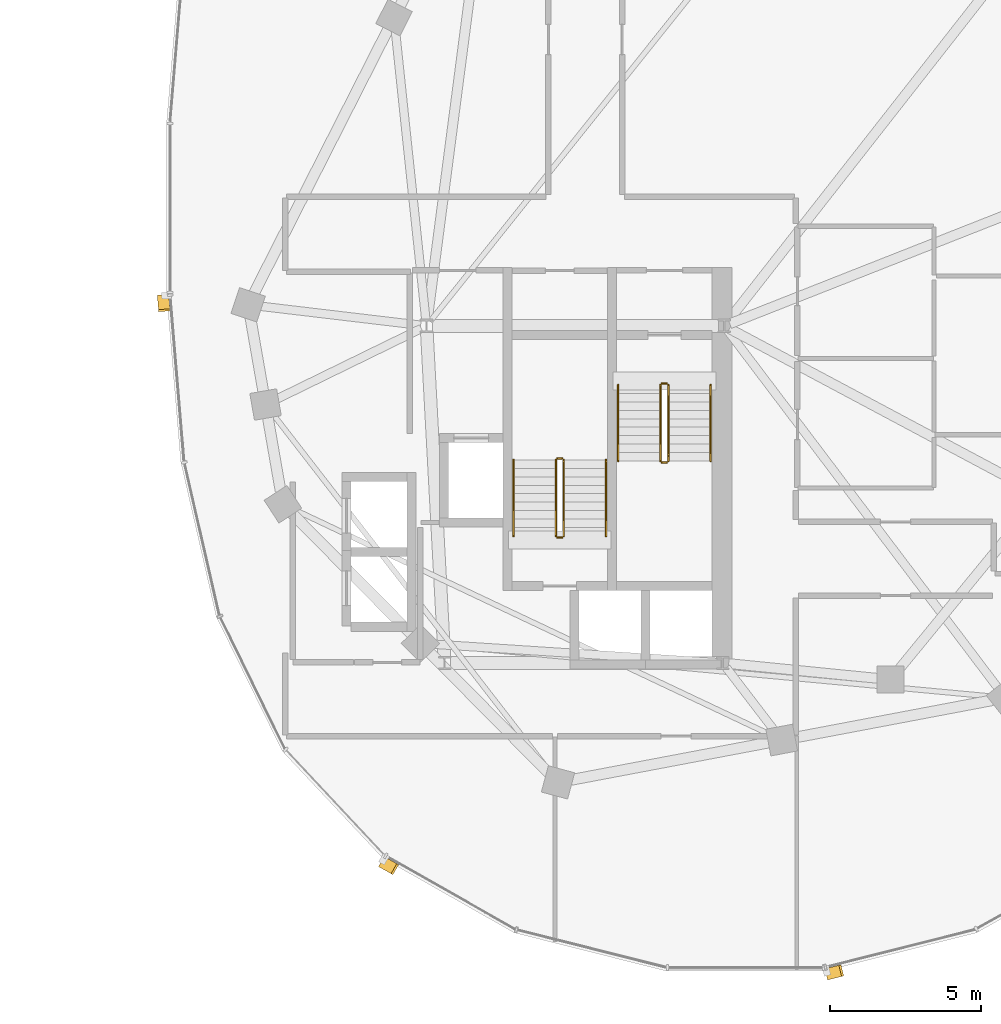
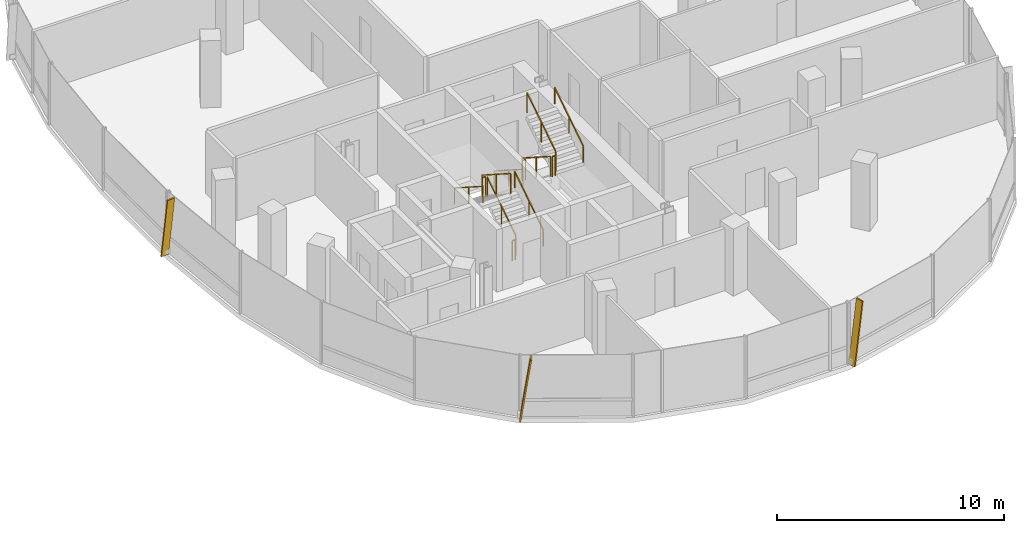
# One storey, part 24 of 25: 12 railings, 3 shading devices.
"""IFC4 building model written with IfcOpenShell, lengths in metres."""

from ifc_helpers import new_model, si_unit, direction, frame, origin, origin_2d, place, context, subcontext, project, spatial, rectangle, extrude, material, material_profile, profile_set, type_object, element, save


model = new_model("IFC4")

# Units and contexts
model_context = context("Model", 3, precision=1e-05, world=origin(), true_north=direction((0.0, 1.0)))
body_context = subcontext(model_context, "Body", "Model", "MODEL_VIEW")
ifc_project = project(units=[si_unit("LENGTHUNIT", "METRE"), si_unit("AREAUNIT", "SQUARE_METRE"), si_unit("VOLUMEUNIT", "CUBIC_METRE"), si_unit("PLANEANGLEUNIT", "RADIAN"), si_unit("MASSUNIT", "GRAM", prefix="KILO"), si_unit("THERMODYNAMICTEMPERATUREUNIT", "KELVIN"), si_unit("POWERUNIT", "WATT")], contexts=[model_context])

# Site, building, storey
site_placement = place(None, origin())
site = spatial("IfcSite", under=ifc_project, at=site_placement, CompositionType="ELEMENT")
building_placement = place(site_placement, origin())
building = spatial("IfcBuilding", under=site, at=building_placement, Name="Cundina Bronze Exchange", CompositionType="ELEMENT")
storey_placement = place(building_placement, frame((0.0, 0.0, 217.0)))
storey = spatial("IfcBuildingStorey", under=building, at=storey_placement, Name="L57", CompositionType="ELEMENT", Elevation=217.0)

# Railings
ifc_material_1 = material(Name="Steel ASTM A36 Painted", Category="steel")
railing_type_1 = type_object("IfcRailingType", Name="RLG-HND-900", PredefinedType="HANDRAIL", material=ifc_material_1)
railing_1_placement = place(storey_placement, frame((27.7900390625, -5.85009765625, 0.179931640625)))
element("IfcRailing", 1, at=railing_1_placement, inside=storey, type_object=railing_type_1, Name="L57 ST-E1 stair handrail 1", PredefinedType="HANDRAIL", context=body_context, shape_type="SweptSolid", body=[
    extrude(rectangle(XDim=0.048095703125, YDim=0.048095703125, at=origin_2d()), frame((0.0, 0.0, 0.8759765625), z_axis=(0.0, -0.841162588446, 0.540782303519), x_axis=(1.0, 0.0, 0.0)), (0.0, 0.0, 1.0), 2.995849609375),
    extrude(rectangle(XDim=0.0419921875, YDim=0.0419921875, at=origin_2d()), origin(), (0.0, 0.0, 1.0), 0.851806640625),
    extrude(rectangle(XDim=0.0419921875, YDim=0.0419921875, at=origin_2d()), frame((0.0, -1.260009765625, 0.81005859375)), (0.0, 0.0, 1.0), 0.851806640625),
    extrude(rectangle(XDim=0.0419921875, YDim=0.0419921875, at=origin_2d()), frame((0.0, -2.52001953125, 1.6201171875)), (0.0, 0.0, 1.0), 0.851806640625),
])
for number, where, name in (
    (2, (30.85009765625, -8.3701171875, 1.97998046875), "L57 ST-E1 stair handrail 2"),
    (3, (27.389892578125, -10.85009765625, 0.179931640625), "L57 ST-E2 stair handrail 1"),
):
    element("IfcRailing", number, at=place(storey_placement, frame(where)), inside=storey, type_object=railing_type_1, Name=name, PredefinedType="HANDRAIL", context=body_context, shape_type="SweptSolid", body=[
        extrude(rectangle(XDim=0.048095703125, YDim=0.048095703125, at=origin_2d()), frame((0.0, 0.0, 0.8759765625), z_axis=(0.0, 0.841162588446, 0.540782303519), x_axis=(-1.0, 0.0, 0.0)), (0.0, 0.0, 1.0), 2.995849609375),
        extrude(rectangle(XDim=0.0419921875, YDim=0.0419921875, at=origin_2d()), origin(), (0.0, 0.0, 1.0), 0.851806640625),
        extrude(rectangle(XDim=0.0419921875, YDim=0.0419921875, at=origin_2d()), frame((0.0, 1.260009765625, 0.81005859375)), (0.0, 0.0, 1.0), 0.851806640625),
        extrude(rectangle(XDim=0.0419921875, YDim=0.0419921875, at=origin_2d()), frame((0.0, 2.52001953125, 1.6201171875)), (0.0, 0.0, 1.0), 0.851806640625),
    ])
railing_2_placement = place(storey_placement, frame((24.330078125, -8.330078125, 1.97998046875)))
element("IfcRailing", 4, at=railing_2_placement, inside=storey, type_object=railing_type_1, Name="L57 ST-E2 stair handrail 2", PredefinedType="HANDRAIL", context=body_context, shape_type="SweptSolid", body=[
    extrude(rectangle(XDim=0.048095703125, YDim=0.048095703125, at=origin_2d()), frame((0.0, 0.0, 0.8759765625), z_axis=(0.0, -0.841162588446, 0.540782303519), x_axis=(1.0, 0.0, 0.0)), (0.0, 0.0, 1.0), 2.995849609375),
    extrude(rectangle(XDim=0.0419921875, YDim=0.0419921875, at=origin_2d()), origin(), (0.0, 0.0, 1.0), 0.851806640625),
    extrude(rectangle(XDim=0.0419921875, YDim=0.0419921875, at=origin_2d()), frame((0.0, -1.260009765625, 0.81005859375)), (0.0, 0.0, 1.0), 0.851806640625),
    extrude(rectangle(XDim=0.0419921875, YDim=0.0419921875, at=origin_2d()), frame((0.0, -2.52001953125, 1.6201171875)), (0.0, 0.0, 1.0), 0.851806640625),
])
railing_type_2 = type_object("IfcRailingType", Name="RLG-STG-1100", PredefinedType="GUARDRAIL", material=ifc_material_1)
railing_3_placement = place(storey_placement, frame((29.18994140625, -5.85009765625, 0.179931640625)))
element("IfcRailing", 5, at=railing_3_placement, inside=storey, type_object=railing_type_2, Name="L57 ST-E1 stair guard 1", PredefinedType="GUARDRAIL", context=body_context, shape_type="SweptSolid", body=[
    extrude(rectangle(XDim=0.048095703125, YDim=0.048095703125, at=origin_2d()), frame((0.0, 0.0, 1.076171875), z_axis=(0.0, -0.841162588446, 0.540782303519), x_axis=(1.0, 0.0, 0.0)), (0.0, 0.0, 1.0), 2.995849609375),
    extrude(rectangle(XDim=0.0419921875, YDim=0.0419921875, at=origin_2d()), origin(), (0.0, 0.0, 1.0), 1.052001953125),
    extrude(rectangle(XDim=0.0419921875, YDim=0.0419921875, at=origin_2d()), frame((0.0, -1.260009765625, 0.81005859375)), (0.0, 0.0, 1.0), 1.052001953125),
    extrude(rectangle(XDim=0.0419921875, YDim=0.0419921875, at=origin_2d()), frame((0.0, -2.52001953125, 1.6201171875)), (0.0, 0.0, 1.0), 1.052001953125),
])
railing_4_placement = place(storey_placement, frame((29.239990234375, -8.419921875, 1.800048828125)))
element("IfcRailing", 6, at=railing_4_placement, inside=storey, type_object=railing_type_2, Name="L57 ST-E1 stair guard 2", PredefinedType="GUARDRAIL", context=body_context, shape_type="SweptSolid", body=[
    extrude(rectangle(XDim=0.048095703125, YDim=0.048095703125, at=origin_2d()), frame((0.0, 0.0, 1.076171875), z_axis=(1.0, 0.0, 0.0), x_axis=(0.0, 1.0, 0.0)), (0.0, 0.0, 1.0), 0.159912109375),
    extrude(rectangle(XDim=0.0419921875, YDim=0.0419921875, at=origin_2d()), origin(), (0.0, 0.0, 1.0), 1.052001953125),
    extrude(rectangle(XDim=0.0419921875, YDim=0.0419921875, at=origin_2d()), frame((0.159912109375, 0.0, 0.0)), (0.0, 0.0, 1.0), 1.052001953125),
])
railing_5_placement = place(storey_placement, frame((29.449951171875, -8.3701171875, 1.97998046875)))
element("IfcRailing", 7, at=railing_5_placement, inside=storey, type_object=railing_type_2, Name="L57 ST-E1 stair guard 3", PredefinedType="GUARDRAIL", context=body_context, shape_type="SweptSolid", body=[
    extrude(rectangle(XDim=0.048095703125, YDim=0.048095703125, at=origin_2d()), frame((0.0, 0.0, 1.076171875), z_axis=(0.0, 0.841162588446, 0.540782303519), x_axis=(-1.0, 0.0, 0.0)), (0.0, 0.0, 1.0), 2.995849609375),
    extrude(rectangle(XDim=0.0419921875, YDim=0.0419921875, at=origin_2d()), origin(), (0.0, 0.0, 1.0), 1.052001953125),
    extrude(rectangle(XDim=0.0419921875, YDim=0.0419921875, at=origin_2d()), frame((0.0, 1.260009765625, 0.81005859375)), (0.0, 0.0, 1.0), 1.052001953125),
    extrude(rectangle(XDim=0.0419921875, YDim=0.0419921875, at=origin_2d()), frame((0.0, 2.52001953125, 1.6201171875)), (0.0, 0.0, 1.0), 1.052001953125),
])
railing_6_placement = place(storey_placement, frame((29.239990234375, -5.800048828125, 0.0)))
element("IfcRailing", 8, at=railing_6_placement, inside=storey, type_object=railing_type_2, Name="L57 ST-E1 stair guard 4", PredefinedType="GUARDRAIL", context=body_context, shape_type="SweptSolid", body=[
    extrude(rectangle(XDim=0.048095703125, YDim=0.048095703125, at=origin_2d()), frame((0.0, 0.0, 1.076171875), z_axis=(1.0, 0.0, 0.0), x_axis=(0.0, 1.0, 0.0)), (0.0, 0.0, 1.0), 0.159912109375),
    extrude(rectangle(XDim=0.0419921875, YDim=0.0419921875, at=origin_2d()), origin(), (0.0, 0.0, 1.0), 1.052001953125),
    extrude(rectangle(XDim=0.0419921875, YDim=0.0419921875, at=origin_2d()), frame((0.159912109375, 0.0, 0.0)), (0.0, 0.0, 1.0), 1.052001953125),
])
railing_7_placement = place(storey_placement, frame((25.989990234375, -10.85009765625, 0.179931640625)))
element("IfcRailing", 9, at=railing_7_placement, inside=storey, type_object=railing_type_2, Name="L57 ST-E2 stair guard 1", PredefinedType="GUARDRAIL", context=body_context, shape_type="SweptSolid", body=[
    extrude(rectangle(XDim=0.048095703125, YDim=0.048095703125, at=origin_2d()), frame((0.0, 0.0, 1.076171875), z_axis=(0.0, 0.841162588446, 0.540782303519), x_axis=(-1.0, 0.0, 0.0)), (0.0, 0.0, 1.0), 2.995849609375),
    extrude(rectangle(XDim=0.0419921875, YDim=0.0419921875, at=origin_2d()), origin(), (0.0, 0.0, 1.0), 1.052001953125),
    extrude(rectangle(XDim=0.0419921875, YDim=0.0419921875, at=origin_2d()), frame((0.0, 1.260009765625, 0.81005859375)), (0.0, 0.0, 1.0), 1.052001953125),
    extrude(rectangle(XDim=0.0419921875, YDim=0.0419921875, at=origin_2d()), frame((0.0, 2.52001953125, 1.6201171875)), (0.0, 0.0, 1.0), 1.052001953125),
])
railing_8_placement = place(storey_placement, frame((25.93994140625, -8.280029296875, 1.800048828125)))
element("IfcRailing", 10, at=railing_8_placement, inside=storey, type_object=railing_type_2, Name="L57 ST-E2 stair guard 2", PredefinedType="GUARDRAIL", context=body_context, shape_type="SweptSolid", body=[
    extrude(rectangle(XDim=0.048095703125, YDim=0.048095703125, at=origin_2d()), frame((0.0, 0.0, 1.076171875), z_axis=(-1.0, 0.0, 0.0), x_axis=(0.0, -1.0, 0.0)), (0.0, 0.0, 1.0), 0.159912109375),
    extrude(rectangle(XDim=0.0419921875, YDim=0.0419921875, at=origin_2d()), origin(), (0.0, 0.0, 1.0), 1.052001953125),
    extrude(rectangle(XDim=0.0419921875, YDim=0.0419921875, at=origin_2d()), frame((-0.159912109375, 0.0, 0.0)), (0.0, 0.0, 1.0), 1.052001953125),
])
railing_9_placement = place(storey_placement, frame((25.72998046875, -8.330078125, 1.97998046875)))
element("IfcRailing", 11, at=railing_9_placement, inside=storey, type_object=railing_type_2, Name="L57 ST-E2 stair guard 3", PredefinedType="GUARDRAIL", context=body_context, shape_type="SweptSolid", body=[
    extrude(rectangle(XDim=0.048095703125, YDim=0.048095703125, at=origin_2d()), frame((0.0, 0.0, 1.076171875), z_axis=(0.0, -0.841162588446, 0.540782303519), x_axis=(1.0, 0.0, 0.0)), (0.0, 0.0, 1.0), 2.995849609375),
    extrude(rectangle(XDim=0.0419921875, YDim=0.0419921875, at=origin_2d()), origin(), (0.0, 0.0, 1.0), 1.052001953125),
    extrude(rectangle(XDim=0.0419921875, YDim=0.0419921875, at=origin_2d()), frame((0.0, -1.260009765625, 0.81005859375)), (0.0, 0.0, 1.0), 1.052001953125),
    extrude(rectangle(XDim=0.0419921875, YDim=0.0419921875, at=origin_2d()), frame((0.0, -2.52001953125, 1.6201171875)), (0.0, 0.0, 1.0), 1.052001953125),
])
railing_10_placement = place(storey_placement, frame((25.93994140625, -10.89990234375, 0.0)))
element("IfcRailing", 12, at=railing_10_placement, inside=storey, type_object=railing_type_2, Name="L57 ST-E2 stair guard 4", PredefinedType="GUARDRAIL", context=body_context, shape_type="SweptSolid", body=[
    extrude(rectangle(XDim=0.048095703125, YDim=0.048095703125, at=origin_2d()), frame((0.0, 0.0, 1.076171875), z_axis=(-1.0, 0.0, 0.0), x_axis=(0.0, -1.0, 0.0)), (0.0, 0.0, 1.0), 0.159912109375),
    extrude(rectangle(XDim=0.0419921875, YDim=0.0419921875, at=origin_2d()), origin(), (0.0, 0.0, 1.0), 1.052001953125),
    extrude(rectangle(XDim=0.0419921875, YDim=0.0419921875, at=origin_2d()), frame((-0.159912109375, 0.0, 0.0)), (0.0, 0.0, 1.0), 1.052001953125),
])

# Shading devices
ifc_material_2 = material(Name="Anodised Bronze Aluminium 6063-T6", Category="aluminium")
ifc_material_profile = material_profile(ifc_material_2, rectangle(XDim=0.070068359375, YDim=0.3798828125, at=origin_2d()), Name="FIN70X380", Category="aluminium")
ifc_profile_set = profile_set([ifc_material_profile], Name="Anodised Bronze Aluminium 6063-T6")
shading_device_type = type_object("IfcShadingDeviceType", Name="SHD-FIN-BRZ380", PredefinedType="USERDEFINED", material=ifc_profile_set)
for number, where, z_axis, x_axis, name in (
    (13, (12.735595703125, -2.90283203125, 0.02001953125), (0.012006555776, -0.143419772964, 0.98958911238), (-0.082555834947, 0.986139516224, 0.143921466983), "L57 Diagonal Bronze Solar Fin 1"),
    (14, (19.984375, -21.635498046875, 0.02001953125), (0.125189514072, -0.071087145125, 0.989582843103), (-0.860526986551, 0.488638423358, 0.143964567292), "L57 Diagonal Bronze Solar Fin 5"),
    (15, (34.705810546875, -25.344482421875, 0.02001953125), (0.139611891367, 0.03514090606, 0.989582556693), (-0.959650042543, -0.24154799183, 0.143966536007), "L57 Diagonal Bronze Solar Fin 1"),
):
    element("IfcShadingDevice", number, at=place(storey_placement, frame(where, z_axis=z_axis, x_axis=x_axis)), inside=storey, type_object=shading_device_type, Name=name, ObjectType="FIN", PredefinedType="USERDEFINED", context=body_context, shape_type="SweptSolid", body=[
        extrude(rectangle(XDim=0.070068359375, YDim=0.3798828125, at=origin_2d()), origin(), (0.0, 0.0, 1.0), 3.334716796875),
    ])

save(model, "model.ifc")
